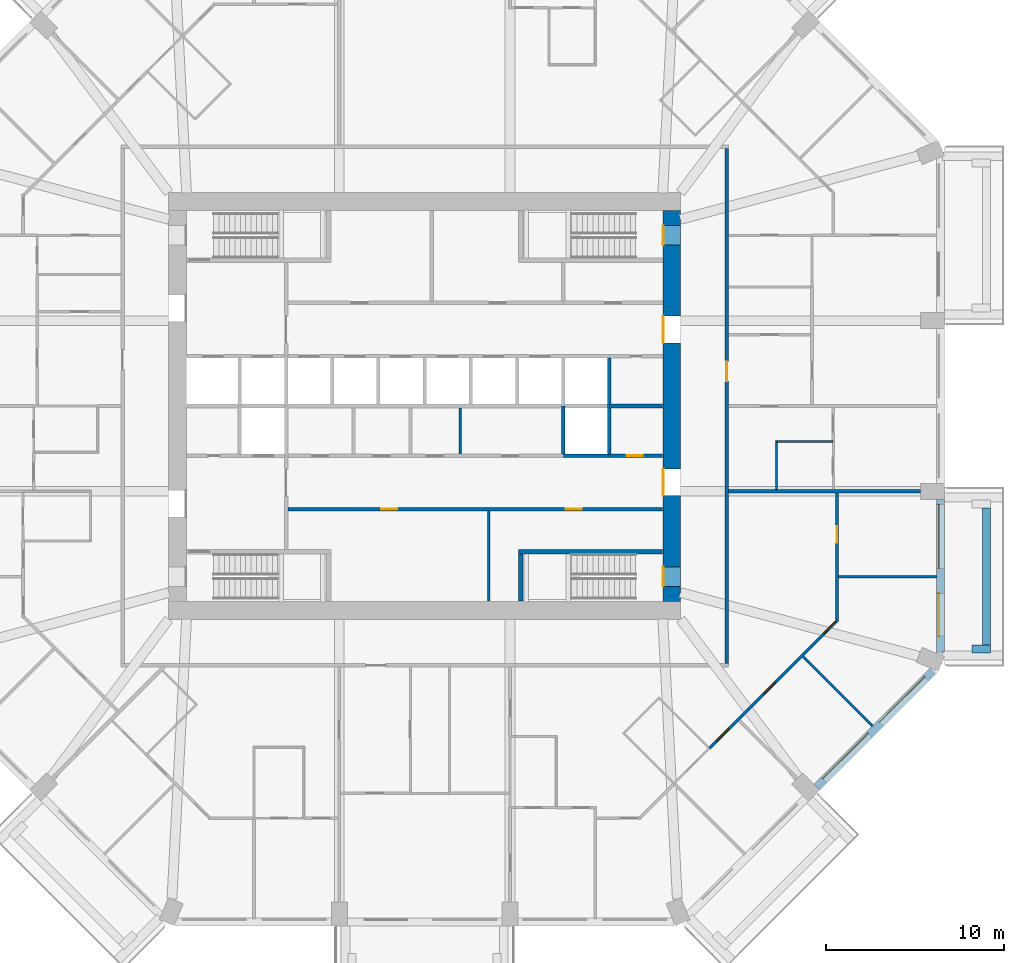
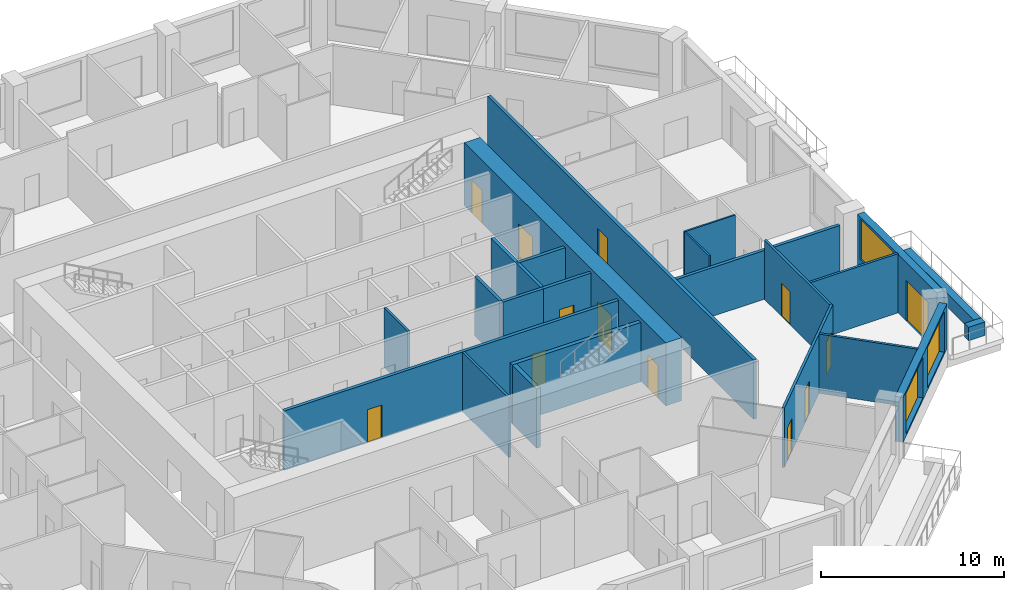
# One storey, part 6 of 13: 23 walls, 13 doors, 3 windows, 16 openings.
"""IFC4 building model written with IfcOpenShell, lengths in metres."""

from ifc_helpers import new_model, si_unit, direction, frame, frame_2d, origin, place, context, subcontext, project, spatial, rectangle, extrude, material, layer, layer_set, type_object, element, fill, save


model = new_model("IFC4")

# Units and contexts
model_context = context("Model", 3, precision=1e-05, world=origin(), true_north=direction((0.0, 1.0)))
body_context = subcontext(model_context, "Body", "Model", "MODEL_VIEW")
ifc_project = project(units=[si_unit("LENGTHUNIT", "METRE"), si_unit("AREAUNIT", "SQUARE_METRE"), si_unit("VOLUMEUNIT", "CUBIC_METRE"), si_unit("PLANEANGLEUNIT", "RADIAN"), si_unit("MASSUNIT", "GRAM", prefix="KILO")], contexts=[model_context])

# Site, building, storey
site_placement = place(None, origin())
site = spatial("IfcSite", under=ifc_project, at=site_placement, CompositionType="ELEMENT")
building_placement = place(site_placement, origin())
building = spatial("IfcBuilding", under=site, at=building_placement, Name="Msitu Wima Residences", CompositionType="ELEMENT")
storey_placement = place(building_placement, frame((0.0, 0.0, 63.300048828125)))
storey = spatial("IfcBuildingStorey", under=building, at=storey_placement, Name="L14", CompositionType="ELEMENT", Elevation=63.300048828125)

# Walls
ifc_material_1 = material(Name="Facing brick")
ifc_layer_1 = layer(ifc_material_1, 0.06494140625, Name="Facing brick")
ifc_material_2 = material(Name="Concrete C40/50", Category="concrete")
ifc_layer_2 = layer(ifc_material_2, 0.156005859375, Name="Concrete C40/50")
ifc_material_3 = material(Name="Waterproofing membrane")
ifc_layer_3 = layer(ifc_material_3, 0.00390625, Name="Waterproofing membrane")
ifc_material_4 = material(Name="Planting soil and planting")
ifc_layer_4 = layer(ifc_material_4, 0.22509765625, Name="Planting soil and planting")
ifc_layer_set_1 = layer_set([ifc_layer_1, ifc_layer_2, ifc_layer_3, ifc_layer_4], Name="Concrete C40/50")
wall_type_1 = type_object("IfcWallType", Name="Balcony planter PLANTER PL450", PredefinedType="USERDEFINED", material=ifc_layer_set_1)
wall_1_placement = place(storey_placement, frame((31.625, -13.449951171875, 0.0), z_axis=(0.0, 0.0, 1.0), x_axis=(0.0, 1.0, 0.0)))
element("IfcWall", 1, at=wall_1_placement, inside=storey, type_object=wall_type_1, Name="Balcony planter E0 L14", ObjectType="PLANTER", PredefinedType="USERDEFINED", context=body_context, shape_type="SweptSolid", body=[
    extrude(rectangle(XDim=7.699951171875, YDim=0.449951171875, at=frame_2d((3.85009765625, 0.0))), origin(), (0.0, 0.0, 1.0), 0.89990234375),
])
wall_2_placement = place(storey_placement, frame((30.800048828125, -13.675048828125, 0.0), z_axis=(0.0, 0.0, 1.0), x_axis=(1.0, 0.0, 0.0)))
element("IfcWall", 2, at=wall_2_placement, inside=storey, type_object=wall_type_1, Name="Balcony planter E0 L14", ObjectType="PLANTER", PredefinedType="USERDEFINED", context=body_context, shape_type="SweptSolid", body=[
    extrude(rectangle(XDim=1.050048828125, YDim=0.449951171875, at=frame_2d((0.52490234375, 0.0))), origin(), (0.0, 0.0, 1.0), 0.89990234375),
])

# Wall, openings, door, window
ifc_material_5 = material(Name="Brick (red buff mix)", Category="masonry")
ifc_layer_5 = layer(ifc_material_5, 0.449951171875)
ifc_layer_set_2 = layer_set([ifc_layer_5], Name="Brick (red buff mix)")
wall_type_2 = type_object("IfcWallType", Name="Brick infill wall BW450", PredefinedType="SOLIDWALL", material=ifc_layer_set_2)
wall_3_placement = place(storey_placement, frame((29.02490234375, -13.912841796875, 0.0), z_axis=(0.0, 0.0, 1.0), x_axis=(0.0, 1.0, 0.0)))
wall_3 = element("IfcWall", 3, at=wall_3_placement, inside=storey, type_object=wall_type_2, Name="Brick infill wall L14 E0", PredefinedType="SOLIDWALL", context=body_context, shape_type="SweptSolid", body=[
    extrude(rectangle(XDim=8.662841796875, YDim=0.449951171875, at=frame_2d((4.33154296875, 0.0))), origin(), (0.0, 0.0, 1.0), 3.89990234375),
])
opening_1_placement = place(wall_3_placement, frame((0.9658203125, 0.0, 0.0)))
opening_1 = element("IfcOpeningElement", 4, at=opening_1_placement, cuts=wall_3, Name="Opening D13-15.001", PredefinedType="OPENING", context=body_context, shape_type="SweptSolid", body=[
    extrude(rectangle(XDim=2.39990234375, YDim=2.699951171875, at=frame_2d((1.199951171875, 1.35009765625))), frame((0.0, 0.23486328125, 0.0), z_axis=(0.0, -1.0, 0.0), x_axis=(1.0, 0.0, 0.0)), (0.0, 0.0, 1.0), 0.469970703125),
])
opening_2_placement = place(wall_3_placement, frame((4.781494140625, 0.0, 1.050048828125)))
opening_2 = element("IfcOpeningElement", 5, at=opening_2_placement, cuts=wall_3, Name="Opening W13-15.001", PredefinedType="OPENING", context=body_context, shape_type="SweptSolid", body=[
    extrude(rectangle(XDim=3.60009765625, YDim=2.699951171875, at=frame_2d((1.800048828125, 1.35009765625))), frame((0.0, 0.23486328125, 0.0), z_axis=(0.0, -1.0, 0.0), x_axis=(1.0, 0.0, 0.0)), (0.0, 0.0, 1.0), 0.469970703125),
])
ifc_material_6 = material(Name="Anodised aluminium, bronze finish, clear low-emissivity double glazing", Category="aluminium")
door_type_1 = type_object("IfcDoorType", Name="Balcony door D2400x2700", OperationType="SLIDING_TO_LEFT", PredefinedType="DOOR", material=ifc_material_6)
door_1_placement = place(opening_1_placement, origin())
door_1 = element("IfcDoor", 6, at=door_1_placement, inside=storey, type_object=door_type_1, Name="Balcony door L14 E0", OperationType="SINGLE_SWING_LEFT", OverallHeight=2.699951171875, OverallWidth=2.39990234375, PredefinedType="DOOR", context=body_context, shape_type="SweptSolid", body=[
    extrude(rectangle(XDim=2.39990234375, YDim=2.699951171875, at=frame_2d((1.199951171875, 1.35009765625))), frame((0.0, 0.1298828125, 0.0), z_axis=(0.0, -1.0, 0.0), x_axis=(1.0, 0.0, 0.0)), (0.0, 0.0, 1.0), 0.050048828125),
])
fill(opening_1, door_1)
window_type = type_object("IfcWindowType", Name="Window W3600x2700", PartitioningType="DOUBLE_PANEL_VERTICAL", PredefinedType="WINDOW", material=ifc_material_6)
window_1_placement = place(opening_2_placement, origin())
window_1 = element("IfcWindow", 7, at=window_1_placement, inside=storey, type_object=window_type, Name="Window L14 E0.2", OverallHeight=2.699951171875, OverallWidth=3.60009765625, PartitioningType="SINGLE_PANEL", PredefinedType="WINDOW", context=body_context, shape_type="SweptSolid", body=[
    extrude(rectangle(XDim=3.60009765625, YDim=2.699951171875, at=frame_2d((1.800048828125, 1.35009765625))), frame((0.0, 0.135009765625, 0.0), z_axis=(0.0, -1.0, 0.0), x_axis=(1.0, 0.0, 0.0)), (0.0, 0.0, 1.0), 0.06005859375),
])
fill(opening_2, window_1)

# Wall, openings, windows
wall_4_placement = place(storey_placement, frame((22.077392578125, -21.44091796875, 0.89990234375), z_axis=(0.0, 0.0, 1.0), x_axis=(0.707106781187, 0.707106781187, 0.0)))
wall_4 = element("IfcWall", 8, at=wall_4_placement, inside=storey, type_object=wall_type_2, Name="Brick infill wall L14 SE1", PredefinedType="SOLIDWALL", context=body_context, shape_type="SweptSolid", body=[
    extrude(rectangle(XDim=9.2451171875, YDim=0.449951171875, at=frame_2d((4.62255859375, 0.0))), origin(), (0.0, 0.0, 1.0), 3.0),
])
opening_3_placement = place(wall_4_placement, frame((0.572509765625, 0.0, 0.14990234375)))
opening_3 = element("IfcOpeningElement", 9, at=opening_3_placement, cuts=wall_4, Name="Opening W13-15.022", PredefinedType="OPENING", context=body_context, shape_type="SweptSolid", body=[
    extrude(rectangle(XDim=3.60009765625, YDim=2.699951171875, at=frame_2d((1.800048828125, 1.35009765625))), frame((0.0, 0.23486328125, 0.0), z_axis=(0.0, -1.0, 0.0), x_axis=(1.0, 0.0, 0.0)), (0.0, 0.0, 1.0), 0.469970703125),
])
opening_4_placement = place(wall_4_placement, frame((5.072509765625, 0.0, 0.14990234375)))
opening_4 = element("IfcOpeningElement", 10, at=opening_4_placement, cuts=wall_4, Name="Opening W13-15.023", PredefinedType="OPENING", context=body_context, shape_type="SweptSolid", body=[
    extrude(rectangle(XDim=3.60009765625, YDim=2.699951171875, at=frame_2d((1.800048828125, 1.35009765625))), frame((0.0, 0.23486328125, 0.0), z_axis=(0.0, -1.0, 0.0), x_axis=(1.0, 0.0, 0.0)), (0.0, 0.0, 1.0), 0.469970703125),
])
window_2_placement = place(opening_3_placement, origin())
window_2 = element("IfcWindow", 11, at=window_2_placement, inside=storey, type_object=window_type, Name="Window L14 SE1.1", OverallHeight=2.699951171875, OverallWidth=3.60009765625, PartitioningType="SINGLE_PANEL", PredefinedType="WINDOW", context=body_context, shape_type="SweptSolid", body=[
    extrude(rectangle(XDim=3.60009765625, YDim=2.699951171875, at=frame_2d((1.800048828125, 1.35009765625))), frame((0.0, 0.135009765625, 0.0), z_axis=(0.0, -1.0, 0.0), x_axis=(1.0, 0.0, 0.0)), (0.0, 0.0, 1.0), 0.06005859375),
])
fill(opening_3, window_2)
window_3_placement = place(opening_4_placement, origin())
window_3 = element("IfcWindow", 12, at=window_3_placement, inside=storey, type_object=window_type, Name="Window L14 SE1.2", OverallHeight=2.699951171875, OverallWidth=3.60009765625, PartitioningType="SINGLE_PANEL", PredefinedType="WINDOW", context=body_context, shape_type="SweptSolid", body=[
    extrude(rectangle(XDim=3.60009765625, YDim=2.699951171875, at=frame_2d((1.800048828125, 1.35009765625))), frame((0.0, 0.135009765625, 0.0), z_axis=(0.0, -1.0, 0.0), x_axis=(1.0, 0.0, 0.0)), (0.0, 0.0, 1.0), 0.06005859375),
])
fill(opening_4, window_3)

# Wall, openings, doors
ifc_material_7 = material(Name="Concrete C80/95", Category="concrete")
ifc_layer_6 = layer(ifc_material_7, 1.0)
ifc_layer_set_3 = layer_set([ifc_layer_6], Name="Concrete C80/95")
wall_type_3 = type_object("IfcWallType", Name="Core wall CW1000 C80/95", PredefinedType="SHEAR", material=ifc_layer_set_3)
wall_5_placement = place(storey_placement, frame((13.89990234375, -11.0, 0.0), z_axis=(0.0, 0.0, 1.0), x_axis=(0.0, 1.0, 0.0)))
wall_5 = element("IfcWall", 13, at=wall_5_placement, inside=storey, type_object=wall_type_3, Name="Core wall", PredefinedType="SHEAR", context=body_context, shape_type="SweptSolid", body=[
    extrude(rectangle(XDim=22.0, YDim=1.0, at=frame_2d((11.0, 0.0))), origin(), (0.0, 0.0, 1.0), 4.199951171875),
])
opening_5_placement = place(wall_5_placement, frame((20.050048828125, 0.0, 0.0)))
opening_5 = element("IfcOpeningElement", 14, at=opening_5_placement, cuts=wall_5, Name="Opening D13-15.036", PredefinedType="OPENING", context=body_context, shape_type="SweptSolid", body=[
    extrude(rectangle(XDim=1.10009765625, YDim=2.199951171875, at=frame_2d((0.550048828125, 1.10009765625))), frame((0.0, 0.510009765625, 0.0), z_axis=(0.0, -1.0, 0.0), x_axis=(1.0, 0.0, 0.0)), (0.0, 0.0, 1.0), 1.02001953125),
])
opening_6_placement = place(wall_5_placement, frame((0.85009765625, 0.0, 0.0)))
opening_6 = element("IfcOpeningElement", 15, at=opening_6_placement, cuts=wall_5, Name="Opening D13-15.037", PredefinedType="OPENING", context=body_context, shape_type="SweptSolid", body=[
    extrude(rectangle(XDim=1.10009765625, YDim=2.199951171875, at=frame_2d((0.550048828125, 1.10009765625))), frame((0.0, 0.510009765625, 0.0), z_axis=(0.0, -1.0, 0.0), x_axis=(1.0, 0.0, 0.0)), (0.0, 0.0, 1.0), 1.02001953125),
])
opening_7_placement = place(wall_5_placement, frame((14.550048828125, 0.0, 0.0)))
opening_7 = element("IfcOpeningElement", 16, at=opening_7_placement, cuts=wall_5, Name="Opening D13-15.024", PredefinedType="OPENING", context=body_context, shape_type="SweptSolid", body=[
    extrude(rectangle(XDim=1.5, YDim=2.39990234375, at=frame_2d((0.75, 1.199951171875))), frame((0.0, 0.510009765625, 0.0), z_axis=(0.0, -1.0, 0.0), x_axis=(1.0, 0.0, 0.0)), (0.0, 0.0, 1.0), 1.02001953125),
])
opening_8_placement = place(wall_5_placement, frame((5.949951171875, 0.0, 0.0)))
opening_8 = element("IfcOpeningElement", 17, at=opening_8_placement, cuts=wall_5, Name="Opening D13-15.025", PredefinedType="OPENING", context=body_context, shape_type="SweptSolid", body=[
    extrude(rectangle(XDim=1.5, YDim=2.39990234375, at=frame_2d((0.75, 1.199951171875))), frame((0.0, 0.510009765625, 0.0), z_axis=(0.0, -1.0, 0.0), x_axis=(1.0, 0.0, 0.0)), (0.0, 0.0, 1.0), 1.02001953125),
])
ifc_material_8 = material(Name="Steel framed glazed door, fire resisting", Category="steel")
door_type_2 = type_object("IfcDoorType", Name="Lobby door D07 1500x2400", OperationType="DOUBLE_DOOR_SINGLE_SWING", PredefinedType="DOOR", material=ifc_material_8)
door_2_placement = place(opening_7_placement, origin())
door_2 = element("IfcDoor", 18, at=door_2_placement, inside=storey, type_object=door_type_2, Name="Lobby door", OperationType="DOUBLE_DOOR_SINGLE_SWING", OverallHeight=2.39990234375, OverallWidth=1.5, PredefinedType="DOOR", context=body_context, shape_type="SweptSolid", body=[
    extrude(rectangle(XDim=1.5, YDim=2.39990234375, at=frame_2d((0.75, 1.199951171875))), frame((0.0, 0.4951171875, 0.0), z_axis=(0.0, -1.0, 0.0), x_axis=(1.0, 0.0, 0.0)), (0.0, 0.0, 1.0), 0.050048828125),
])
fill(opening_7, door_2)
door_3_placement = place(opening_8_placement, origin())
door_3 = element("IfcDoor", 19, at=door_3_placement, inside=storey, type_object=door_type_2, Name="Lobby door", OperationType="DOUBLE_DOOR_SINGLE_SWING", OverallHeight=2.39990234375, OverallWidth=1.5, PredefinedType="DOOR", context=body_context, shape_type="SweptSolid", body=[
    extrude(rectangle(XDim=1.5, YDim=2.39990234375, at=frame_2d((0.75, 1.199951171875))), frame((0.0, 0.4951171875, 0.0), z_axis=(0.0, -1.0, 0.0), x_axis=(1.0, 0.0, 0.0)), (0.0, 0.0, 1.0), 0.050048828125),
])
fill(opening_8, door_3)
ifc_material_9 = material(Name="Steel door, fire resisting, panic bar", Category="steel")
door_type_3 = type_object("IfcDoorType", Name="Stair door D06 1100x2200", OperationType="SINGLE_SWING_LEFT", PredefinedType="DOOR", material=ifc_material_9)
door_4_placement = place(opening_5_placement, origin())
door_4 = element("IfcDoor", 20, at=door_4_placement, inside=storey, type_object=door_type_3, Name="Stair door", OperationType="SINGLE_SWING_LEFT", OverallHeight=2.199951171875, OverallWidth=1.10009765625, PredefinedType="DOOR", context=body_context, shape_type="SweptSolid", body=[
    extrude(rectangle(XDim=1.10009765625, YDim=2.199951171875, at=frame_2d((0.550048828125, 1.10009765625))), frame((0.0, 0.4951171875, 0.0), z_axis=(0.0, -1.0, 0.0), x_axis=(1.0, 0.0, 0.0)), (0.0, 0.0, 1.0), 0.050048828125),
])
fill(opening_5, door_4)
door_5_placement = place(opening_6_placement, origin())
door_5 = element("IfcDoor", 21, at=door_5_placement, inside=storey, type_object=door_type_3, Name="Stair door", OperationType="SINGLE_SWING_RIGHT", OverallHeight=2.199951171875, OverallWidth=1.10009765625, PredefinedType="DOOR", context=body_context, shape_type="SweptSolid", body=[
    extrude(rectangle(XDim=1.10009765625, YDim=2.199951171875, at=frame_2d((0.550048828125, 1.10009765625))), frame((0.0, 0.4951171875, 0.0), z_axis=(0.0, -1.0, 0.0), x_axis=(1.0, 0.0, 0.0)), (0.0, 0.0, 1.0), 0.050048828125),
])
fill(opening_6, door_5)

ifc_material_10 = material(Name="Plaster")
ifc_layer_7 = layer(ifc_material_10, 0.011962890625, Name="Plaster")
ifc_material_11 = material(Name="Concrete blockwork", Category="masonry")
ifc_layer_8 = layer(ifc_material_11, 0.176025390625, Name="Concrete blockwork")
ifc_layer_9 = layer(ifc_material_10, 0.011962890625, Name="Plaster")
ifc_layer_set_4 = layer_set([ifc_layer_7, ifc_layer_8, ifc_layer_9], Name="Concrete blockwork")
wall_type_4 = type_object("IfcWallType", Name="Corridor wall FW200", PredefinedType="PARTITIONING", material=ifc_layer_set_4)
wall_6_placement = place(storey_placement, frame((-7.699951171875, -5.800048828125, 0.0), z_axis=(0.0, 0.0, 1.0), x_axis=(1.0, 0.0, 0.0)))
wall_6 = element("IfcWall", 22, at=wall_6_placement, inside=storey, type_object=wall_type_4, Name="Corridor wall", PredefinedType="PARTITIONING", context=body_context, shape_type="SweptSolid", body=[
    extrude(rectangle(XDim=21.070068359375, YDim=0.199951171875, at=frame_2d((10.53515625, 0.0))), origin(), (0.0, 0.0, 1.0), 3.949951171875),
])
opening_9_placement = place(wall_6_placement, frame((5.25, 0.0, 0.0)))
opening_9 = element("IfcOpeningElement", 23, at=opening_9_placement, cuts=wall_6, Name="Opening D13-15.022", PredefinedType="OPENING", context=body_context, shape_type="SweptSolid", body=[
    extrude(rectangle(XDim=0.89990234375, YDim=2.199951171875, at=frame_2d((0.449951171875, 1.10009765625))), frame((0.0, 0.10986328125, 0.0), z_axis=(0.0, -1.0, 0.0), x_axis=(1.0, 0.0, 0.0)), (0.0, 0.0, 1.0), 0.219970703125),
])
opening_10_placement = place(wall_6_placement, frame((15.64990234375, 0.0, 0.0)))
opening_10 = element("IfcOpeningElement", 24, at=opening_10_placement, cuts=wall_6, Name="Opening D13-15.023", PredefinedType="OPENING", context=body_context, shape_type="SweptSolid", body=[
    extrude(rectangle(XDim=0.89990234375, YDim=2.199951171875, at=frame_2d((0.449951171875, 1.10009765625))), frame((0.0, 0.10986328125, 0.0), z_axis=(0.0, -1.0, 0.0), x_axis=(1.0, 0.0, 0.0)), (0.0, 0.0, 1.0), 0.219970703125),
])
ifc_material_12 = material(Name="Timber flush door", Category="wood")
door_type_4 = type_object("IfcDoorType", Name="Service door D05 900x2200", OperationType="SINGLE_SWING_LEFT", PredefinedType="DOOR", material=ifc_material_12)
door_6_placement = place(opening_9_placement, origin())
door_6 = element("IfcDoor", 25, at=door_6_placement, inside=storey, type_object=door_type_4, Name="Service door", OperationType="SINGLE_SWING_RIGHT", OverallHeight=2.199951171875, OverallWidth=0.89990234375, PredefinedType="DOOR", context=body_context, shape_type="SweptSolid", body=[
    extrude(rectangle(XDim=0.89990234375, YDim=2.199951171875, at=frame_2d((0.449951171875, 1.10009765625))), frame((0.0, 0.02490234375, 0.0), z_axis=(0.0, -1.0, 0.0), x_axis=(1.0, 0.0, 0.0)), (0.0, 0.0, 1.0), 0.050048828125),
])
fill(opening_9, door_6)
door_7_placement = place(opening_10_placement, origin())
door_7 = element("IfcDoor", 26, at=door_7_placement, inside=storey, type_object=door_type_4, Name="Service door", OperationType="SINGLE_SWING_LEFT", OverallHeight=2.199951171875, OverallWidth=0.89990234375, PredefinedType="DOOR", context=body_context, shape_type="SweptSolid", body=[
    extrude(rectangle(XDim=0.89990234375, YDim=2.199951171875, at=frame_2d((0.449951171875, 1.10009765625))), frame((0.0, 0.02490234375, 0.0), z_axis=(0.0, -1.0, 0.0), x_axis=(1.0, 0.0, 0.0)), (0.0, 0.0, 1.0), 0.050048828125),
])
fill(opening_10, door_7)

# Wall, opening, door
wall_7_placement = place(storey_placement, frame((17.0, -14.5, 0.0), z_axis=(0.0, 0.0, 1.0), x_axis=(0.0, 1.0, 0.0)))
wall_7 = element("IfcWall", 27, at=wall_7_placement, inside=storey, type_object=wall_type_4, Name="Corridor wall", PredefinedType="PARTITIONING", context=body_context, shape_type="SweptSolid", body=[
    extrude(rectangle(XDim=29.0, YDim=0.199951171875, at=frame_2d((14.5, 0.0))), origin(), (0.0, 0.0, 1.0), 3.949951171875),
])
opening_11_placement = place(wall_7_placement, frame((15.89990234375, 0.0, 0.0)))
opening_11 = element("IfcOpeningElement", 28, at=opening_11_placement, cuts=wall_7, Name="Opening D13-15.011", PredefinedType="OPENING", context=body_context, shape_type="SweptSolid", body=[
    extrude(rectangle(XDim=1.10009765625, YDim=2.39990234375, at=frame_2d((0.550048828125, 1.199951171875))), frame((0.0, 0.10986328125, 0.0), z_axis=(0.0, -1.0, 0.0), x_axis=(1.0, 0.0, 0.0)), (0.0, 0.0, 1.0), 0.219970703125),
])
ifc_material_13 = material(Name="Timber flush door, fire resisting, self-closing", Category="wood")
door_type_5 = type_object("IfcDoorType", Name="Flat entrance door D01 1100x2400", OperationType="SINGLE_SWING_LEFT", PredefinedType="DOOR", material=ifc_material_13)
door_8_placement = place(opening_11_placement, origin())
door_8 = element("IfcDoor", 29, at=door_8_placement, inside=storey, type_object=door_type_5, Name="Flat entrance door", OperationType="SINGLE_SWING_RIGHT", OverallHeight=2.39990234375, OverallWidth=1.10009765625, PredefinedType="DOOR", context=body_context, shape_type="SweptSolid", body=[
    extrude(rectangle(XDim=1.10009765625, YDim=2.39990234375, at=frame_2d((0.550048828125, 1.199951171875))), frame((0.0, 0.02490234375, 0.0), z_axis=(0.0, -1.0, 0.0), x_axis=(1.0, 0.0, 0.0)), (0.0, 0.0, 1.0), 0.050048828125),
])
fill(opening_11, door_8)

# Walls
ifc_layer_10 = layer(ifc_material_10, 0.011962890625, Name="Plaster")
ifc_layer_11 = layer(ifc_material_11, 0.1259765625, Name="Concrete blockwork")
ifc_layer_12 = layer(ifc_material_10, 0.011962890625, Name="Plaster")
ifc_layer_set_5 = layer_set([ifc_layer_10, ifc_layer_11, ifc_layer_12], Name="Concrete blockwork")
wall_type_5 = type_object("IfcWallType", Name="Partition PW150", PredefinedType="PARTITIONING", material=ifc_layer_set_5)
wall_8_placement = place(storey_placement, frame((2.0, -2.699951171875, 0.0), z_axis=(0.0, 0.0, 1.0), x_axis=(0.0, 1.0, 0.0)))
element("IfcWall", 30, at=wall_8_placement, inside=storey, type_object=wall_type_5, Name="Partition", PredefinedType="PARTITIONING", context=body_context, shape_type="SweptSolid", body=[
    extrude(rectangle(XDim=2.599853515625, YDim=0.14990234375, at=frame_2d((1.2998046875, 0.0))), origin(), (0.0, 0.0, 1.0), 3.949951171875),
])
wall_9_placement = place(storey_placement, frame((3.60009765625, -10.969970703125, 0.0), z_axis=(0.0, 0.0, 1.0), x_axis=(0.0, 1.0, 0.0)))
element("IfcWall", 31, at=wall_9_placement, inside=storey, type_object=wall_type_5, Name="Partition", PredefinedType="PARTITIONING", context=body_context, shape_type="SweptSolid", body=[
    extrude(rectangle(XDim=5.070068359375, YDim=0.14990234375, at=frame_2d((2.53515625, 0.0))), origin(), (0.0, 0.0, 1.0), 3.949951171875),
])

# Wall, openings, doors
wall_10_placement = place(storey_placement, frame((16.02001953125, -19.26025390625, 0.0), z_axis=(0.0, 0.0, 1.0), x_axis=(0.707106781187, 0.707106781187, 0.0)))
wall_10 = element("IfcWall", 32, at=wall_10_placement, inside=storey, type_object=wall_type_5, Name="Partition", PredefinedType="PARTITIONING", context=body_context, shape_type="SweptSolid", body=[
    extrude(rectangle(XDim=10.228759765625, YDim=0.14990234375, at=frame_2d((5.1142578125, 0.0))), origin(), (0.0, 0.0, 1.0), 3.949951171875),
])
opening_12_placement = place(wall_10_placement, frame((4.300048828125, 0.0, 0.0)))
opening_12 = element("IfcOpeningElement", 33, at=opening_12_placement, cuts=wall_10, Name="Opening D13-15.077", PredefinedType="OPENING", context=body_context, shape_type="SweptSolid", body=[
    extrude(rectangle(XDim=0.949951171875, YDim=2.199951171875, at=frame_2d((0.47509765625, 1.10009765625))), frame((0.0, 0.0849609375, 0.0), z_axis=(0.0, -1.0, 0.0), x_axis=(1.0, 0.0, 0.0)), (0.0, 0.0, 1.0), 0.169921875),
])
opening_13_placement = place(wall_10_placement, frame((0.60009765625, 0.0, 0.0)))
opening_13 = element("IfcOpeningElement", 34, at=opening_13_placement, cuts=wall_10, Name="Opening D13-15.078", PredefinedType="OPENING", context=body_context, shape_type="SweptSolid", body=[
    extrude(rectangle(XDim=0.949951171875, YDim=2.199951171875, at=frame_2d((0.47509765625, 1.10009765625))), frame((0.0, 0.0849609375, 0.0), z_axis=(0.0, -1.0, 0.0), x_axis=(1.0, 0.0, 0.0)), (0.0, 0.0, 1.0), 0.169921875),
])
opening_14_placement = place(wall_10_placement, frame((9.10009765625, 0.0, 0.0)))
opening_14 = element("IfcOpeningElement", 35, at=opening_14_placement, cuts=wall_10, Name="Opening D13-15.081", PredefinedType="OPENING", context=body_context, shape_type="SweptSolid", body=[
    extrude(rectangle(XDim=0.949951171875, YDim=2.199951171875, at=frame_2d((0.47509765625, 1.10009765625))), frame((0.0, 0.0849609375, 0.0), z_axis=(0.0, -1.0, 0.0), x_axis=(1.0, 0.0, 0.0)), (0.0, 0.0, 1.0), 0.169921875),
])
door_type_6 = type_object("IfcDoorType", Name="Room door D12 950x2200", OperationType="SINGLE_SWING_LEFT", PredefinedType="DOOR", material=ifc_material_12)
door_9_placement = place(opening_12_placement, origin())
door_9 = element("IfcDoor", 36, at=door_9_placement, inside=storey, type_object=door_type_6, Name="Room door", OperationType="SINGLE_SWING_RIGHT", OverallHeight=2.199951171875, OverallWidth=0.949951171875, PredefinedType="DOOR", context=body_context, shape_type="SweptSolid", body=[
    extrude(rectangle(XDim=0.949951171875, YDim=2.199951171875, at=frame_2d((0.47509765625, 1.10009765625))), frame((0.0, 0.02490234375, 0.0), z_axis=(0.0, -1.0, 0.0), x_axis=(1.0, 0.0, 0.0)), (0.0, 0.0, 1.0), 0.050048828125),
])
fill(opening_12, door_9)
door_10_placement = place(opening_13_placement, origin())
door_10 = element("IfcDoor", 37, at=door_10_placement, inside=storey, type_object=door_type_6, Name="Room door", OperationType="SINGLE_SWING_LEFT", OverallHeight=2.199951171875, OverallWidth=0.949951171875, PredefinedType="DOOR", context=body_context, shape_type="SweptSolid", body=[
    extrude(rectangle(XDim=0.949951171875, YDim=2.199951171875, at=frame_2d((0.47509765625, 1.10009765625))), frame((0.0, 0.02490234375, 0.0), z_axis=(0.0, -1.0, 0.0), x_axis=(1.0, 0.0, 0.0)), (0.0, 0.0, 1.0), 0.050048828125),
])
fill(opening_13, door_10)
door_11_placement = place(opening_14_placement, origin())
door_11 = element("IfcDoor", 38, at=door_11_placement, inside=storey, type_object=door_type_6, Name="Room door", OperationType="SINGLE_SWING_RIGHT", OverallHeight=2.199951171875, OverallWidth=0.949951171875, PredefinedType="DOOR", context=body_context, shape_type="SweptSolid", body=[
    extrude(rectangle(XDim=0.949951171875, YDim=2.199951171875, at=frame_2d((0.47509765625, 1.10009765625))), frame((0.0, 0.02490234375, 0.0), z_axis=(0.0, -1.0, 0.0), x_axis=(1.0, 0.0, 0.0)), (0.0, 0.0, 1.0), 0.050048828125),
])
fill(opening_14, door_11)

# Wall
wall_11_placement = place(storey_placement, frame((21.293212890625, -14.09326171875, 0.0), z_axis=(0.0, 0.0, 1.0), x_axis=(0.707128775519, -0.70708478617, 0.0)))
element("IfcWall", 39, at=wall_11_placement, inside=storey, type_object=wall_type_5, Name="Partition", PredefinedType="PARTITIONING", context=body_context, shape_type="SweptSolid", body=[
    extrude(rectangle(XDim=5.550048828125, YDim=0.14990234375, at=frame_2d((2.77490234375, 0.0))), origin(), (0.0, 0.0, 1.0), 3.949951171875),
])

# Wall, opening, door
wall_12_placement = place(storey_placement, frame((23.199951171875, -12.00537109375, 0.0), z_axis=(0.0, 0.0, 1.0), x_axis=(0.0, 1.0, 0.0)))
wall_12 = element("IfcWall", 40, at=wall_12_placement, inside=storey, type_object=wall_type_5, Name="Partition", PredefinedType="PARTITIONING", context=body_context, shape_type="SweptSolid", body=[
    extrude(rectangle(XDim=7.10546875, YDim=0.14990234375, at=frame_2d((3.552734375, 0.0))), origin(), (0.0, 0.0, 1.0), 3.949951171875),
])
opening_15_placement = place(wall_12_placement, frame((4.300048828125, 0.0, 0.0)))
opening_15 = element("IfcOpeningElement", 41, at=opening_15_placement, cuts=wall_12, Name="Opening D13-15.083", PredefinedType="OPENING", context=body_context, shape_type="SweptSolid", body=[
    extrude(rectangle(XDim=0.949951171875, YDim=2.199951171875, at=frame_2d((0.47509765625, 1.10009765625))), frame((0.0, 0.0849609375, 0.0), z_axis=(0.0, -1.0, 0.0), x_axis=(1.0, 0.0, 0.0)), (0.0, 0.0, 1.0), 0.169921875),
])
door_12_placement = place(opening_15_placement, origin())
door_12 = element("IfcDoor", 42, at=door_12_placement, inside=storey, type_object=door_type_6, Name="Room door", OperationType="SINGLE_SWING_RIGHT", OverallHeight=2.199951171875, OverallWidth=0.949951171875, PredefinedType="DOOR", context=body_context, shape_type="SweptSolid", body=[
    extrude(rectangle(XDim=0.949951171875, YDim=2.199951171875, at=frame_2d((0.47509765625, 1.10009765625))), frame((0.0, 0.02490234375, 0.0), z_axis=(0.0, -1.0, 0.0), x_axis=(1.0, 0.0, 0.0)), (0.0, 0.0, 1.0), 0.050048828125),
])
fill(opening_15, door_12)

# Walls
wall_13_placement = place(storey_placement, frame((23.27490234375, -9.60009765625, 0.0), z_axis=(0.0, 0.0, 1.0), x_axis=(1.0, 0.0, 0.0)))
element("IfcWall", 43, at=wall_13_placement, inside=storey, type_object=wall_type_5, Name="Partition", PredefinedType="PARTITIONING", context=body_context, shape_type="SweptSolid", body=[
    extrude(rectangle(XDim=5.550048828125, YDim=0.14990234375, at=frame_2d((2.77490234375, 0.0))), origin(), (0.0, 0.0, 1.0), 3.949951171875),
])
ifc_layer_13 = layer(ifc_material_10, 0.011962890625, Name="Plaster")
ifc_material_14 = material(Name="Dense concrete blockwork", Category="masonry")
ifc_layer_14 = layer(ifc_material_14, 0.176025390625, Name="Dense concrete blockwork")
ifc_layer_15 = layer(ifc_material_10, 0.011962890625, Name="Plaster")
ifc_layer_set_6 = layer_set([ifc_layer_13, ifc_layer_14, ifc_layer_15], Name="Dense concrete blockwork")
wall_type_6 = type_object("IfcWallType", Name="Party wall PW200", PredefinedType="PARTITIONING", material=ifc_layer_set_6)
wall_14_placement = place(storey_placement, frame((17.10009765625, -4.800048828125, 0.0), z_axis=(0.0, 0.0, 1.0), x_axis=(1.0, 0.0, 0.0)))
element("IfcWall", 44, at=wall_14_placement, inside=storey, type_object=wall_type_6, Name="Party wall", PredefinedType="PARTITIONING", context=body_context, shape_type="SweptSolid", body=[
    extrude(rectangle(XDim=10.7998046875, YDim=0.199951171875, at=frame_2d((5.39990234375, 0.0))), origin(), (0.0, 0.0, 1.0), 3.25),
])

# Wall, opening, door
ifc_layer_16 = layer(ifc_material_10, 0.011962890625, Name="Plaster")
ifc_material_15 = material(Name="Reinforced concrete blockwork", Category="masonry")
ifc_layer_17 = layer(ifc_material_15, 0.176025390625, Name="Reinforced concrete blockwork")
ifc_layer_18 = layer(ifc_material_10, 0.011962890625, Name="Plaster")
ifc_layer_set_7 = layer_set([ifc_layer_16, ifc_layer_17, ifc_layer_18], Name="Reinforced concrete blockwork")
wall_type_7 = type_object("IfcWallType", Name="Plant and riser wall PL200", PredefinedType="PARTITIONING", material=ifc_layer_set_7)
wall_15_placement = place(storey_placement, frame((10.3798828125, -2.800048828125, 0.0), z_axis=(0.0, 0.0, 1.0), x_axis=(1.0, 0.0, 0.0)))
wall_15 = element("IfcWall", 45, at=wall_15_placement, inside=storey, type_object=wall_type_7, Name="Plant and riser wall", PredefinedType="PARTITIONING", context=body_context, shape_type="SweptSolid", body=[
    extrude(rectangle(XDim=2.990234375, YDim=0.199951171875, at=frame_2d((1.4951171875, 0.0))), origin(), (0.0, 0.0, 1.0), 3.949951171875),
])
opening_16_placement = place(wall_15_placement, frame((1.0, 0.0, 0.0)))
opening_16 = element("IfcOpeningElement", 46, at=opening_16_placement, cuts=wall_15, Name="Opening D13-15.014", PredefinedType="OPENING", context=body_context, shape_type="SweptSolid", body=[
    extrude(rectangle(XDim=0.89990234375, YDim=2.199951171875, at=frame_2d((0.449951171875, 1.10009765625))), frame((0.0, 0.10986328125, 0.0), z_axis=(0.0, -1.0, 0.0), x_axis=(1.0, 0.0, 0.0)), (0.0, 0.0, 1.0), 0.219970703125),
])
door_13_placement = place(opening_16_placement, origin())
door_13 = element("IfcDoor", 47, at=door_13_placement, inside=storey, type_object=door_type_4, Name="Service door", OperationType="SINGLE_SWING_LEFT", OverallHeight=2.199951171875, OverallWidth=0.89990234375, PredefinedType="DOOR", context=body_context, shape_type="SweptSolid", body=[
    extrude(rectangle(XDim=0.89990234375, YDim=2.199951171875, at=frame_2d((0.449951171875, 1.10009765625))), frame((0.0, 0.02490234375, 0.0), z_axis=(0.0, -1.0, 0.0), x_axis=(1.0, 0.0, 0.0)), (0.0, 0.0, 1.0), 0.050048828125),
])
fill(opening_16, door_13)

# Walls
wall_16_placement = place(storey_placement, frame((10.39990234375, 0.0, 0.0), z_axis=(0.0, 0.0, 1.0), x_axis=(1.0, 0.0, 0.0)))
element("IfcWall", 48, at=wall_16_placement, inside=storey, type_object=wall_type_7, Name="Plant and riser wall", PredefinedType="PARTITIONING", context=body_context, shape_type="SweptSolid", body=[
    extrude(rectangle(XDim=2.97021484375, YDim=0.199951171875, at=frame_2d((1.485107421875, 0.0))), origin(), (0.0, 0.0, 1.0), 3.949951171875),
])
ifc_material_16 = material(Name="Fire-rated board")
ifc_layer_19 = layer(ifc_material_16, 0.02490234375, Name="Fire-rated board")
ifc_material_17 = material(Name="Light-gauge stud framing with mineral wool")
ifc_layer_20 = layer(ifc_material_17, 0.14990234375, Name="Light-gauge stud framing with mineral wool")
ifc_layer_21 = layer(ifc_material_16, 0.02490234375, Name="Fire-rated board")
ifc_layer_set_8 = layer_set([ifc_layer_19, ifc_layer_20, ifc_layer_21], Name="Light-gauge stud framing with mineral wool")
wall_type_8 = type_object("IfcWallType", Name="Shaft wall SH200", PredefinedType="PARTITIONING", material=ifc_layer_set_8)
wall_17_placement = place(storey_placement, frame((7.800048828125, -2.699951171875, 0.0), z_axis=(0.0, 0.0, 1.0), x_axis=(0.0, 1.0, 0.0)))
element("IfcWall", 49, at=wall_17_placement, inside=storey, type_object=wall_type_8, Name="Shaft wall", PredefinedType="PARTITIONING", context=body_context, shape_type="SweptSolid", body=[
    extrude(rectangle(XDim=2.699951171875, YDim=0.199951171875, at=frame_2d((1.35009765625, 0.0))), origin(), (0.0, 0.0, 1.0), 3.949951171875),
])
wall_18_placement = place(storey_placement, frame((7.820068359375, -2.800048828125, 0.0), z_axis=(0.0, 0.0, 1.0), x_axis=(1.0, 0.0, 0.0)))
element("IfcWall", 50, at=wall_18_placement, inside=storey, type_object=wall_type_8, Name="Shaft wall", PredefinedType="PARTITIONING", context=body_context, shape_type="SweptSolid", body=[
    extrude(rectangle(XDim=2.559814453125, YDim=0.199951171875, at=frame_2d((1.27978515625, 0.0))), origin(), (0.0, 0.0, 1.0), 3.949951171875),
])
wall_19_placement = place(storey_placement, frame((10.39990234375, -2.699951171875, 0.0), z_axis=(0.0, 0.0, 1.0), x_axis=(0.0, 1.0, 0.0)))
element("IfcWall", 51, at=wall_19_placement, inside=storey, type_object=wall_type_8, Name="Shaft wall", PredefinedType="PARTITIONING", context=body_context, shape_type="SweptSolid", body=[
    extrude(rectangle(XDim=5.39990234375, YDim=0.199951171875, at=frame_2d((2.699951171875, 0.0))), origin(), (0.0, 0.0, 1.0), 3.949951171875),
])
ifc_material_18 = material(Name="Concrete C50/60", Category="concrete")
ifc_layer_22 = layer(ifc_material_18, 0.25)
ifc_layer_set_9 = layer_set([ifc_layer_22], Name="Concrete C50/60")
wall_type_9 = type_object("IfcWallType", Name="Stair enclosure wall SW250", PredefinedType="SHEAR", material=ifc_layer_set_9)
wall_20_placement = place(storey_placement, frame((5.39990234375, -10.969970703125, 0.0), z_axis=(0.0, 0.0, 1.0), x_axis=(0.0, 1.0, 0.0)))
element("IfcWall", 52, at=wall_20_placement, inside=storey, type_object=wall_type_9, Name="Stair enclosure wall", PredefinedType="SHEAR", context=body_context, shape_type="SweptSolid", body=[
    extrude(rectangle(XDim=2.64501953125, YDim=0.25, at=frame_2d((1.322509765625, 0.0))), origin(), (0.0, 0.0, 1.0), 3.949951171875),
])
wall_21_placement = place(storey_placement, frame((5.27490234375, -8.199951171875, 0.0), z_axis=(0.0, 0.0, 1.0), x_axis=(1.0, 0.0, 0.0)))
element("IfcWall", 53, at=wall_21_placement, inside=storey, type_object=wall_type_9, Name="Stair enclosure wall", PredefinedType="SHEAR", context=body_context, shape_type="SweptSolid", body=[
    extrude(rectangle(XDim=8.09521484375, YDim=0.25, at=frame_2d((4.047607421875, 0.0))), origin(), (0.0, 0.0, 1.0), 3.949951171875),
])
ifc_material_19 = material(Name="Ceramic tiles")
ifc_layer_23 = layer(ifc_material_19, 0.008056640625, Name="Ceramic tiles")
ifc_material_20 = material(Name="Moisture-resistant board")
ifc_layer_24 = layer(ifc_material_20, 0.012451171875, Name="Moisture-resistant board")
ifc_layer_25 = layer(ifc_material_17, 0.06689453125, Name="Light-gauge stud framing with mineral wool")
ifc_layer_26 = layer(ifc_material_20, 0.012451171875, Name="Moisture-resistant board")
ifc_layer_set_10 = layer_set([ifc_layer_23, ifc_layer_24, ifc_layer_25, ifc_layer_26], Name="Light-gauge stud framing with mineral wool")
wall_type_10 = type_object("IfcWallType", Name="Wet wall PW100", PredefinedType="PARTITIONING", material=ifc_layer_set_10)
wall_22_placement = place(storey_placement, frame((19.800048828125, -4.699951171875, 0.0), z_axis=(0.0, 0.0, 1.0), x_axis=(0.0, 1.0, 0.0)))
element("IfcWall", 54, at=wall_22_placement, inside=storey, type_object=wall_type_10, Name="Wet wall", PredefinedType="PARTITIONING", context=body_context, shape_type="SweptSolid", body=[
    extrude(rectangle(XDim=2.64990234375, YDim=0.10009765625, at=frame_2d((1.324951171875, 0.0))), origin(), (0.0, 0.0, 1.0), 3.949951171875),
])
wall_23_placement = place(storey_placement, frame((19.75, -2.0, 0.0), z_axis=(0.0, 0.0, 1.0), x_axis=(1.0, 0.0, 0.0)))
element("IfcWall", 55, at=wall_23_placement, inside=storey, type_object=wall_type_10, Name="Wet wall", PredefinedType="PARTITIONING", context=body_context, shape_type="SweptSolid", body=[
    extrude(rectangle(XDim=3.199951171875, YDim=0.10009765625, at=frame_2d((1.60009765625, 0.0))), origin(), (0.0, 0.0, 1.0), 3.949951171875),
])

save(model, "model.ifc")
